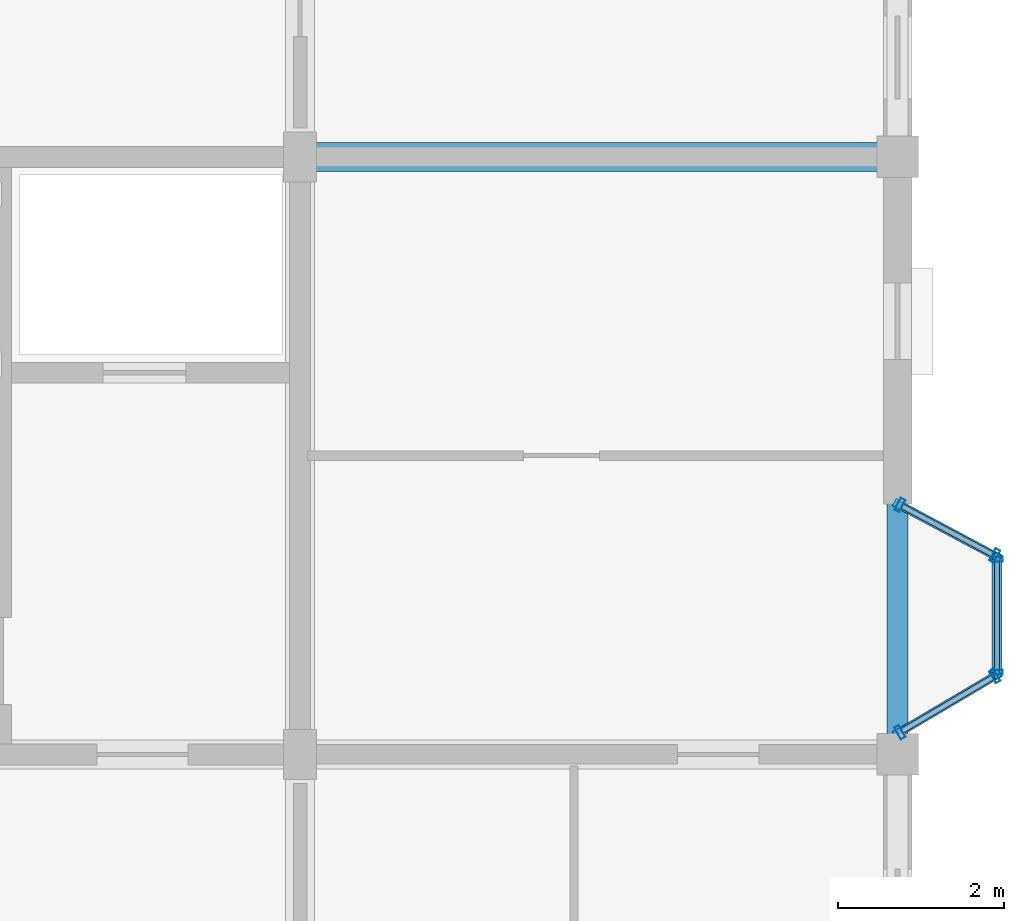
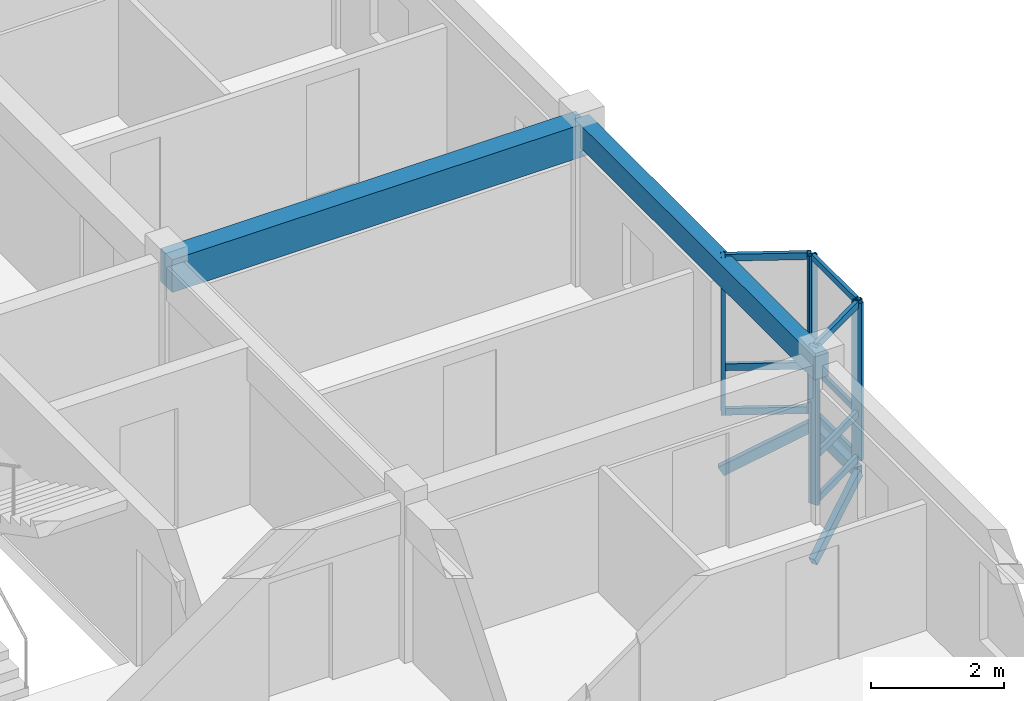
# One storey, part 26 of 70: 18 members, 2 beams, 3 elements without a shape of their own.
"""IFC4 building model written with IfcOpenShell, lengths in metres."""

from ifc_helpers import new_model, si_unit, direction, frame, origin, origin_2d, place, context, subcontext, project, spatial, rectangle, hollow_rectangle, extrude, material, layer, layer_set, material_profile, profile_set, type_object, element, aggregate, save


model = new_model("IFC4")

# Units and contexts
model_context = context("Model", 3, precision=1e-05, world=origin(), true_north=direction((0.0, 1.0)))
body_context = subcontext(model_context, "Body", "Model", "MODEL_VIEW")
ifc_project = project(units=[si_unit("LENGTHUNIT", "METRE"), si_unit("AREAUNIT", "SQUARE_METRE"), si_unit("VOLUMEUNIT", "CUBIC_METRE"), si_unit("PLANEANGLEUNIT", "RADIAN"), si_unit("MASSUNIT", "GRAM", prefix="KILO"), si_unit("THERMODYNAMICTEMPERATUREUNIT", "KELVIN"), si_unit("POWERUNIT", "WATT")], contexts=[model_context])

# Site, building, storey
site_placement = place(None, origin())
site = spatial("IfcSite", under=ifc_project, at=site_placement, CompositionType="ELEMENT")
building_placement = place(site_placement, origin())
building = spatial("IfcBuilding", under=site, at=building_placement, Name="Tavuni Mirador Residences", CompositionType="ELEMENT")
storey_placement = place(building_placement, frame((0.0, 0.0, 23.39990234375)))
storey = spatial("IfcBuildingStorey", under=building, at=storey_placement, Name="L07", CompositionType="ELEMENT", Elevation=23.39990234375)

# Beams
ifc_material_1 = material(Name="Precast concrete C40/50", Category="concrete")
ifc_material_profile_1 = material_profile(ifc_material_1, rectangle(XDim=0.35009765625, YDim=0.60009765625, at=origin_2d()), Name="PC 350x600", Category="concrete")
ifc_profile_set_1 = profile_set([ifc_material_profile_1], Name="Precast concrete C40/50")
beam_type_1 = type_object("IfcBeamType", Name="BT-B600", PredefinedType="BEAM", material=ifc_profile_set_1)
beam_1_placement = place(storey_placement, frame((111.60009765625, 115.199951171875, 2.590087890625), z_axis=(1.0, 0.0, 0.0), x_axis=(0.0, 1.0, 0.0)))
element("IfcBeam", 1, at=beam_1_placement, inside=storey, type_object=beam_type_1, Name="BMX-BLK-D-L07-02-04", PredefinedType="BEAM", context=body_context, shape_type="SweptSolid", body=[
    extrude(rectangle(XDim=0.35009765625, YDim=0.60009765625, at=origin_2d()), origin(), (0.0, 0.0, 1.0), 7.199951171875),
])
ifc_material_profile_2 = material_profile(ifc_material_1, rectangle(XDim=0.25, YDim=0.419921875, at=origin_2d()), Name="PC 250x420", Category="concrete")
ifc_profile_set_2 = profile_set([ifc_material_profile_2], Name="Precast concrete C40/50")
beam_type_2 = type_object("IfcBeamType", Name="BT-SP420", PredefinedType="SPANDREL", material=ifc_profile_set_2)
beam_2_placement = place(storey_placement, frame((118.800048828125, 108.0, 2.68017578125), z_axis=(0.0, 1.0, 0.0), x_axis=(-1.0, 0.0, 0.0)))
element("IfcBeam", 2, at=beam_2_placement, inside=storey, type_object=beam_type_2, Name="BMY-BLK-D-L07-03-03", PredefinedType="SPANDREL", context=body_context, shape_type="SweptSolid", body=[
    extrude(rectangle(XDim=0.25, YDim=0.419921875, at=origin_2d()), origin(), (0.0, 0.0, 1.0), 7.199951171875),
])

# Curtain wall, members
ifc_material_2 = material(Name="Anodised aluminium", Category="aluminium")
ifc_layer_1 = layer(ifc_material_2, 0.1650390625, Name="Anodised aluminium", Category="aluminium")
ifc_layer_set_1 = layer_set([ifc_layer_1], Name="Anodised aluminium")
curtain_wall_type_1 = type_object("IfcCurtainWallType", Name="CWT-MIR-A", PredefinedType="NOTDEFINED", material=ifc_layer_set_1)
curtain_wall_1_placement = place(storey_placement, origin())
curtain_wall_1 = element("IfcCurtainWall", 3, at=curtain_wall_1_placement, inside=storey, type_object=curtain_wall_type_1, Name="CW-MIR-D-E2-L07-MF", PredefinedType="NOTDEFINED")
ifc_material_profile_3 = material_profile(ifc_material_2, hollow_rectangle(XDim=0.06005859375, YDim=0.139892578125, WallThickness=0.00390625, at=origin_2d()), Name="ALU 60x140x4.0", Category="aluminium")
ifc_profile_set_3 = profile_set([ifc_material_profile_3], Name="Anodised aluminium")
member_type_1 = type_object("IfcMemberType", Name="CWM-140", PredefinedType="MULLION", material=ifc_profile_set_3)
member_1_placement = place(storey_placement, frame((120.0, 108.989990234375, 0.0), z_axis=(0.0, 0.0, 1.0), x_axis=(0.0, 1.0, 0.0)))
member_1 = element("IfcMember", 4, at=member_1_placement, type_object=member_type_1, Name="CW-01 mullion 1", PredefinedType="MULLION", context=body_context, shape_type="SweptSolid", body=[
    extrude(hollow_rectangle(XDim=0.06005859375, YDim=0.139892578125, WallThickness=0.00390625, at=origin_2d()), origin(), (0.0, 0.0, 1.0), 2.89013671875),
])
member_2_placement = place(storey_placement, frame((120.0, 110.35009765625, 0.0), z_axis=(0.0, 0.0, 1.0), x_axis=(0.0, 1.0, 0.0)))
member_2 = element("IfcMember", 5, at=member_2_placement, type_object=member_type_1, Name="CW-01 mullion 2", PredefinedType="MULLION", context=body_context, shape_type="SweptSolid", body=[
    extrude(hollow_rectangle(XDim=0.06005859375, YDim=0.139892578125, WallThickness=0.00390625, at=origin_2d()), origin(), (0.0, 0.0, 1.0), 2.89013671875),
])

ifc_layer_2 = layer(ifc_material_2, 0.159912109375, Name="Anodised aluminium", Category="aluminium")
ifc_layer_set_2 = layer_set([ifc_layer_2], Name="Anodised aluminium")
curtain_wall_type_2 = type_object("IfcCurtainWallType", Name="CWT-MIR-D", PredefinedType="NOTDEFINED", material=ifc_layer_set_2)
curtain_wall_2_placement = place(storey_placement, origin())
curtain_wall_2 = element("IfcCurtainWall", 6, at=curtain_wall_2_placement, inside=storey, type_object=curtain_wall_type_2, Name="CW-MIR-D-E2-L07-M1", PredefinedType="NOTDEFINED")
ifc_material_profile_4 = material_profile(ifc_material_2, hollow_rectangle(XDim=0.06494140625, YDim=0.1650390625, WallThickness=0.00439453125, at=origin_2d()), Name="ALU 65x165x4.5", Category="aluminium")
ifc_profile_set_4 = profile_set([ifc_material_profile_4], Name="Anodised aluminium")
member_type_2 = type_object("IfcMemberType", Name="CWM-165", PredefinedType="MULLION", material=ifc_profile_set_4)
member_3_placement = place(storey_placement, frame((118.827880859375, 108.2666015625, 0.0), z_axis=(0.0, 0.0, 1.0), x_axis=(0.860640830284, 0.509212491254, 0.0)))
member_3 = element("IfcMember", 7, at=member_3_placement, type_object=member_type_2, Name="CW-04 mullion 1", PredefinedType="MULLION", context=body_context, shape_type="SweptSolid", body=[
    extrude(hollow_rectangle(XDim=0.06494140625, YDim=0.1650390625, WallThickness=0.00439453125, at=origin_2d()), origin(), (0.0, 0.0, 1.0), 2.89013671875),
])
member_4_placement = place(storey_placement, frame((119.971923828125, 108.943359375, 0.0), z_axis=(0.0, 0.0, 1.0), x_axis=(0.860640830284, 0.509212491254, 0.0)))
member_4 = element("IfcMember", 8, at=member_4_placement, type_object=member_type_2, Name="CW-04 mullion 2", PredefinedType="MULLION", context=body_context, shape_type="SweptSolid", body=[
    extrude(hollow_rectangle(XDim=0.06494140625, YDim=0.1650390625, WallThickness=0.00439453125, at=origin_2d()), origin(), (0.0, 0.0, 1.0), 2.89013671875),
])

ifc_layer_3 = layer(ifc_material_2, 0.14990234375, Name="Anodised aluminium", Category="aluminium")
ifc_layer_set_3 = layer_set([ifc_layer_3], Name="Anodised aluminium")
curtain_wall_type_3 = type_object("IfcCurtainWallType", Name="CWT-MIR-B", PredefinedType="NOTDEFINED", material=ifc_layer_set_3)
curtain_wall_3_placement = place(storey_placement, origin())
curtain_wall_3 = element("IfcCurtainWall", 9, at=curtain_wall_3_placement, inside=storey, type_object=curtain_wall_type_3, Name="CW-MIR-D-E2-L07-M2", PredefinedType="NOTDEFINED")
member_5_placement = place(storey_placement, frame((119.971435546875, 110.395263671875, 0.0), z_axis=(0.0, 0.0, 1.0), x_axis=(-0.882352941175, 0.470588235296, 0.0)))
member_5 = element("IfcMember", 10, at=member_5_placement, type_object=member_type_2, Name="CW-02 mullion 1", PredefinedType="MULLION", context=body_context, shape_type="SweptSolid", body=[
    extrude(hollow_rectangle(XDim=0.06494140625, YDim=0.1650390625, WallThickness=0.00439453125, at=origin_2d()), origin(), (0.0, 0.0, 1.0), 2.89013671875),
])
member_6_placement = place(storey_placement, frame((118.82861328125, 111.004638671875, 0.0), z_axis=(0.0, 0.0, 1.0), x_axis=(-0.882352941175, 0.470588235296, 0.0)))
member_6 = element("IfcMember", 11, at=member_6_placement, type_object=member_type_2, Name="CW-02 mullion 2", PredefinedType="MULLION", context=body_context, shape_type="SweptSolid", body=[
    extrude(hollow_rectangle(XDim=0.06494140625, YDim=0.1650390625, WallThickness=0.00439453125, at=origin_2d()), origin(), (0.0, 0.0, 1.0), 2.89013671875),
])

# Member
ifc_material_profile_5 = material_profile(ifc_material_2, hollow_rectangle(XDim=0.06005859375, YDim=0.110107421875, WallThickness=0.00390625, at=origin_2d()), Name="ALU 60x110x4.0", Category="aluminium")
ifc_profile_set_5 = profile_set([ifc_material_profile_5], Name="Anodised aluminium")
member_type_3 = type_object("IfcMemberType", Name="CWT-110", PredefinedType="USERDEFINED", material=ifc_profile_set_5)
member_7_placement = place(storey_placement, frame((120.0, 109.02001953125, 0.030029296875), z_axis=(0.0, 1.0, 0.0), x_axis=(-1.0, 0.0, 0.0)))
member_7 = element("IfcMember", 12, at=member_7_placement, type_object=member_type_3, Name="CW-01 transom 1.1", ObjectType="TRANSOM", PredefinedType="USERDEFINED", context=body_context, shape_type="SweptSolid", body=[
    extrude(hollow_rectangle(XDim=0.06005859375, YDim=0.110107421875, WallThickness=0.00390625, at=origin_2d()), origin(), (0.0, 0.0, 1.0), 1.300048828125),
])

member_8_placement = place(storey_placement, frame((120.0, 109.02001953125, 0.85009765625), z_axis=(0.0, 1.0, 0.0), x_axis=(-1.0, 0.0, 0.0)))
member_8 = element("IfcMember", 13, at=member_8_placement, type_object=member_type_3, Name="CW-01 transom 1.2", ObjectType="TRANSOM", PredefinedType="USERDEFINED", context=body_context, shape_type="SweptSolid", body=[
    extrude(hollow_rectangle(XDim=0.06005859375, YDim=0.110107421875, WallThickness=0.00390625, at=origin_2d()), origin(), (0.0, 0.0, 1.0), 1.300048828125),
])

member_9_placement = place(storey_placement, frame((120.0, 109.02001953125, 2.860107421875), z_axis=(0.0, 1.0, 0.0), x_axis=(-1.0, 0.0, 0.0)))
member_9 = element("IfcMember", 14, at=member_9_placement, type_object=member_type_3, Name="CW-01 transom 1.3", ObjectType="TRANSOM", PredefinedType="USERDEFINED", context=body_context, shape_type="SweptSolid", body=[
    extrude(hollow_rectangle(XDim=0.06005859375, YDim=0.110107421875, WallThickness=0.00390625, at=origin_2d()), origin(), (0.0, 0.0, 1.0), 1.300048828125),
])

aggregate(curtain_wall_1, [member_1, member_2, member_7, member_8, member_9])

ifc_material_profile_6 = material_profile(ifc_material_2, hollow_rectangle(XDim=0.06494140625, YDim=0.125, WallThickness=0.00439453125, at=origin_2d()), Name="ALU 65x125x4.5", Category="aluminium")
ifc_profile_set_6 = profile_set([ifc_material_profile_6], Name="Anodised aluminium")
member_type_4 = type_object("IfcMemberType", Name="CWT-125", PredefinedType="USERDEFINED", material=ifc_profile_set_6)
member_10_placement = place(storey_placement, frame((118.85595703125, 108.283203125, 0.03271484375), z_axis=(0.860645766749, 0.509204147839, 0.0), x_axis=(-0.509204147839, 0.860645766749, 0.0)))
member_10 = element("IfcMember", 15, at=member_10_placement, type_object=member_type_4, Name="CW-04 transom 1.1", ObjectType="TRANSOM", PredefinedType="USERDEFINED", context=body_context, shape_type="SweptSolid", body=[
    extrude(hollow_rectangle(XDim=0.06494140625, YDim=0.125, WallThickness=0.00439453125, at=origin_2d()), origin(), (0.0, 0.0, 1.0), 1.264404296875),
])

member_11_placement = place(storey_placement, frame((118.85595703125, 108.283203125, 0.85009765625), z_axis=(0.860645766749, 0.509204147839, 0.0), x_axis=(-0.509204147839, 0.860645766749, 0.0)))
member_11 = element("IfcMember", 16, at=member_11_placement, type_object=member_type_4, Name="CW-04 transom 1.2", ObjectType="TRANSOM", PredefinedType="USERDEFINED", context=body_context, shape_type="SweptSolid", body=[
    extrude(hollow_rectangle(XDim=0.06494140625, YDim=0.125, WallThickness=0.00439453125, at=origin_2d()), origin(), (0.0, 0.0, 1.0), 1.264404296875),
])

member_12_placement = place(storey_placement, frame((118.85595703125, 108.283203125, 2.857666015625), z_axis=(0.860645766749, 0.509204147839, 0.0), x_axis=(-0.509204147839, 0.860645766749, 0.0)))
member_12 = element("IfcMember", 17, at=member_12_placement, type_object=member_type_4, Name="CW-04 transom 1.3", ObjectType="TRANSOM", PredefinedType="USERDEFINED", context=body_context, shape_type="SweptSolid", body=[
    extrude(hollow_rectangle(XDim=0.06494140625, YDim=0.125, WallThickness=0.00439453125, at=origin_2d()), origin(), (0.0, 0.0, 1.0), 1.264404296875),
])

aggregate(curtain_wall_2, [member_3, member_4, member_10, member_11, member_12])

member_13_placement = place(storey_placement, frame((119.942626953125, 110.41064453125, 0.03271484375), z_axis=(-0.882325465843, 0.470639747922, 0.0), x_axis=(-0.470639747922, -0.882325465843, 0.0)))
member_13 = element("IfcMember", 18, at=member_13_placement, type_object=member_type_4, Name="CW-02 transom 1.1", ObjectType="TRANSOM", PredefinedType="USERDEFINED", context=body_context, shape_type="SweptSolid", body=[
    extrude(hollow_rectangle(XDim=0.06494140625, YDim=0.125, WallThickness=0.00439453125, at=origin_2d()), origin(), (0.0, 0.0, 1.0), 1.22998046875),
])

member_14_placement = place(storey_placement, frame((119.942626953125, 110.41064453125, 0.85009765625), z_axis=(-0.882325465843, 0.470639747922, 0.0), x_axis=(-0.470639747922, -0.882325465843, 0.0)))
member_14 = element("IfcMember", 19, at=member_14_placement, type_object=member_type_4, Name="CW-02 transom 1.2", ObjectType="TRANSOM", PredefinedType="USERDEFINED", context=body_context, shape_type="SweptSolid", body=[
    extrude(hollow_rectangle(XDim=0.06494140625, YDim=0.125, WallThickness=0.00439453125, at=origin_2d()), origin(), (0.0, 0.0, 1.0), 1.22998046875),
])

member_15_placement = place(storey_placement, frame((119.942626953125, 110.41064453125, 2.857666015625), z_axis=(-0.882325465843, 0.470639747922, 0.0), x_axis=(-0.470639747922, -0.882325465843, 0.0)))
member_15 = element("IfcMember", 20, at=member_15_placement, type_object=member_type_4, Name="CW-02 transom 1.3", ObjectType="TRANSOM", PredefinedType="USERDEFINED", context=body_context, shape_type="SweptSolid", body=[
    extrude(hollow_rectangle(XDim=0.06494140625, YDim=0.125, WallThickness=0.00439453125, at=origin_2d()), origin(), (0.0, 0.0, 1.0), 1.22998046875),
])

aggregate(curtain_wall_3, [member_5, member_6, member_13, member_14, member_15])

# Members
ifc_material_3 = material(Name="Structural steel S355", Category="steel")
ifc_material_profile_7 = material_profile(ifc_material_3, hollow_rectangle(XDim=0.10009765625, YDim=0.179931640625, WallThickness=0.008056640625, at=origin_2d()), Name="RHS 180x100x8.0", Category="steel")
ifc_profile_set_7 = profile_set([ifc_material_profile_7], Name="Structural steel S355")
member_type_5 = type_object("IfcMemberType", Name="MT-BR-RHS180", PredefinedType="BRACE", material=ifc_profile_set_7)
member_16_placement = place(storey_placement, frame((118.800048828125, 108.25, -1.0498046875), z_axis=(0.748843645746, 0.443059475449, 0.492880812612), x_axis=(-0.509207087026, 0.860644027762, 0.0)))
element("IfcMember", 21, at=member_16_placement, inside=storey, type_object=member_type_5, Name="MBRK-MIR-D-E2-L07-1", PredefinedType="BRACE", context=body_context, shape_type="SweptSolid", body=[
    extrude(hollow_rectangle(XDim=0.10009765625, YDim=0.179931640625, WallThickness=0.008056640625, at=origin_2d()), origin(), (0.0, 0.0, 1.0), 1.602294921875),
])
member_17_placement = place(storey_placement, frame((118.800048828125, 111.02001953125, -1.0498046875), z_axis=(0.762980474463, -0.407026409775, 0.502185520832), x_axis=(0.470681405175, 0.882303244255, 0.0)))
element("IfcMember", 22, at=member_17_placement, inside=storey, type_object=member_type_5, Name="MBRK-MIR-D-E2-L07-2", PredefinedType="BRACE", context=body_context, shape_type="SweptSolid", body=[
    extrude(hollow_rectangle(XDim=0.10009765625, YDim=0.179931640625, WallThickness=0.008056640625, at=origin_2d()), origin(), (0.0, 0.0, 1.0), 1.57275390625),
])
ifc_material_profile_8 = material_profile(ifc_material_3, hollow_rectangle(XDim=0.1201171875, YDim=0.199951171875, WallThickness=0.010009765625, at=origin_2d()), Name="RHS 200x120x10.0", Category="steel")
ifc_profile_set_8 = profile_set([ifc_material_profile_8], Name="Structural steel S355")
member_type_6 = type_object("IfcMemberType", Name="MT-ST-RHS200", PredefinedType="STRUT", material=ifc_profile_set_8)
member_18_placement = place(storey_placement, frame((120.0, 108.9599609375, -0.260009765625), z_axis=(0.0, 1.0, 0.0), x_axis=(-1.0, 0.0, 0.0)))
element("IfcMember", 23, at=member_18_placement, inside=storey, type_object=member_type_6, Name="MRIM-MIR-D-E2-L07", PredefinedType="STRUT", context=body_context, shape_type="SweptSolid", body=[
    extrude(hollow_rectangle(XDim=0.1201171875, YDim=0.199951171875, WallThickness=0.010009765625, at=origin_2d()), origin(), (0.0, 0.0, 1.0), 1.419921875),
])

save(model, "model.ifc")
